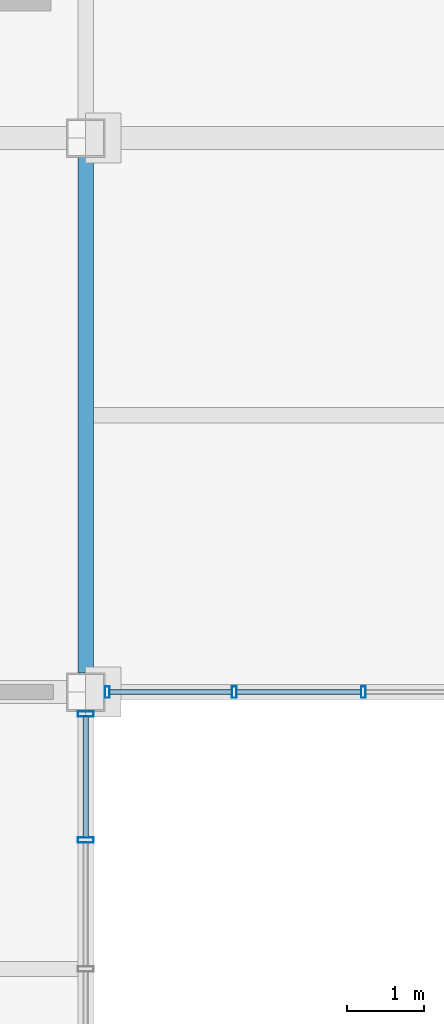
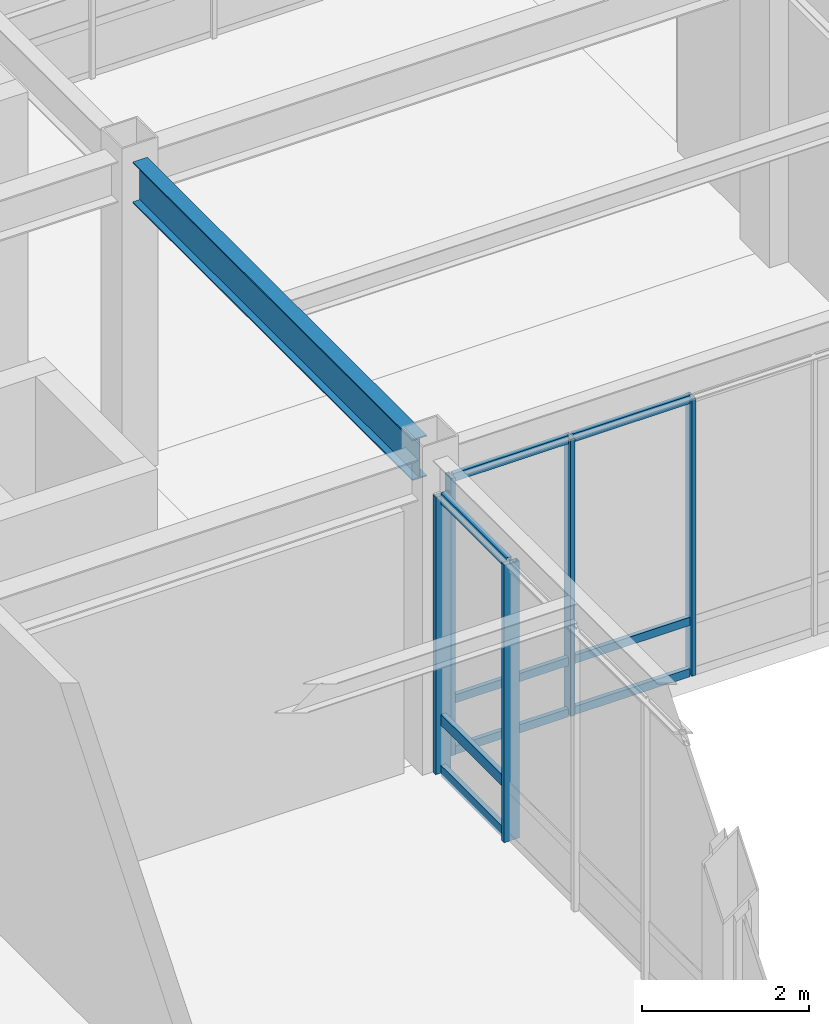
# One storey, part 62 of 112: 14 members, 1 beam, 2 elements without a shape of their own.
"""IFC4 building model written with IfcOpenShell, lengths in metres."""

from ifc_helpers import new_model, si_unit, direction, frame, origin, origin_2d, place, context, subcontext, project, spatial, hollow_rectangle, i_section, extrude, material, material_profile, profile_set, type_object, element, aggregate, save


model = new_model("IFC4")

# Units and contexts
model_context = context("Model", 3, precision=1e-05, world=origin(), true_north=direction((0.0, 1.0)))
body_context = subcontext(model_context, "Body", "Model", "MODEL_VIEW")
ifc_project = project(units=[si_unit("LENGTHUNIT", "METRE"), si_unit("AREAUNIT", "SQUARE_METRE"), si_unit("VOLUMEUNIT", "CUBIC_METRE"), si_unit("PLANEANGLEUNIT", "RADIAN"), si_unit("MASSUNIT", "GRAM", prefix="KILO")], contexts=[model_context])

# Site, building, storey
site_placement = place(None, origin())
site = spatial("IfcSite", under=ifc_project, at=site_placement, CompositionType="ELEMENT")
building_placement = place(site_placement, origin())
building = spatial("IfcBuilding", under=site, at=building_placement, Name="Kazanami Central Library", CompositionType="ELEMENT")
storey_placement = place(building_placement, origin())
storey = spatial("IfcBuildingStorey", under=building, at=storey_placement, Name="L01", CompositionType="ELEMENT", Elevation=0.0)

# Beam
ifc_material_1 = material(Name="Steel SN490B (325 MPa)", Category="steel")
ifc_material_profile_1 = material_profile(ifc_material_1, i_section(OverallWidth=0.199951171875, OverallDepth=0.60009765625, WebThickness=0.010986328125, FlangeThickness=0.01708984375, at=origin_2d()), Name="H-600x200x11x17")
ifc_profile_set_1 = profile_set([ifc_material_profile_1], Name="Steel SN490B (325 MPa)")
beam_type = type_object("IfcBeamType", Name="BM-G-Y1", PredefinedType="BEAM", material=ifc_profile_set_1)
beam_placement = place(storey_placement, frame((108.0, 65.048095703125, 4.2548828125), z_axis=(0.0, 1.0, 0.0), x_axis=(-1.0, 0.0, 0.0)))
element("IfcBeam", 1, at=beam_placement, inside=storey, type_object=beam_type, Name="Girder G-Y1 L01 13/K-L", PredefinedType="BEAM", context=body_context, shape_type="SweptSolid", body=[
    extrude(i_section(OverallWidth=0.199951171875, OverallDepth=0.60009765625, WebThickness=0.010986328125, FlangeThickness=0.01708984375, at=origin_2d()), origin(), (0.0, 0.0, 1.0), 6.703857421875),
])

# Curtain wall, members
ifc_material_2 = material(Name="Acid-Etched Low-E Laminated Glass", Category="glass")
curtain_wall_type_1 = type_object("IfcCurtainWallType", Name="CW-6700x4055-M180", PredefinedType="USERDEFINED", material=ifc_material_2)
curtain_wall_1_placement = place(storey_placement, origin())
curtain_wall_1 = element("IfcCurtainWall", 2, at=curtain_wall_1_placement, inside=storey, type_object=curtain_wall_type_1, Name="Covered Link Bridge Curtain Wall CW-09 L01 E-13-08", ObjectType="UNITISED CURTAIN WALL", PredefinedType="USERDEFINED")
ifc_material_3 = material(Name="Anodised Aluminium A6063-T5", Category="aluminium")
ifc_material_profile_2 = material_profile(ifc_material_3, hollow_rectangle(XDim=0.070068359375, YDim=0.2099609375, WallThickness=0.0048828125, at=origin_2d()), Name="ALU-MULL-70x210x5")
ifc_profile_set_2 = profile_set([ifc_material_profile_2], Name="Anodised Aluminium A6063-T5")
member_type_1 = type_object("IfcMemberType", Name="MEM-CW-M1", PredefinedType="MULLION", material=ifc_profile_set_2)
member_1_placement = place(storey_placement, frame((108.0, 64.514892578125, 0.0), z_axis=(0.0, 0.0, 1.0), x_axis=(0.0, -1.0, 0.0)))
member_1 = element("IfcMember", 3, at=member_1_placement, type_object=member_type_1, Name="CW-09 mullion 1", PredefinedType="MULLION", context=body_context, shape_type="SweptSolid", body=[
    extrude(hollow_rectangle(XDim=0.070068359375, YDim=0.2099609375, WallThickness=0.0048828125, at=origin_2d()), origin(), (0.0, 0.0, 1.0), 4.054931640625),
])
member_2_placement = place(storey_placement, frame((108.0, 62.875, 0.0), z_axis=(0.0, 0.0, 1.0), x_axis=(0.0, -1.0, 0.0)))
member_2 = element("IfcMember", 4, at=member_2_placement, type_object=member_type_1, Name="CW-09 mullion 2", PredefinedType="MULLION", context=body_context, shape_type="SweptSolid", body=[
    extrude(hollow_rectangle(XDim=0.070068359375, YDim=0.2099609375, WallThickness=0.0048828125, at=origin_2d()), origin(), (0.0, 0.0, 1.0), 4.054931640625),
])

curtain_wall_type_2 = type_object("IfcCurtainWallType", Name="CW-8400x4055-M180", PredefinedType="USERDEFINED", material=ifc_material_2)
curtain_wall_2_placement = place(storey_placement, origin())
curtain_wall_2 = element("IfcCurtainWall", 5, at=curtain_wall_2_placement, inside=storey, type_object=curtain_wall_type_2, Name="Covered Link Bridge Curtain Wall CW-06 L01 S-K-12", ObjectType="UNITISED CURTAIN WALL", PredefinedType="USERDEFINED")
ifc_material_profile_3 = material_profile(ifc_material_3, hollow_rectangle(XDim=0.06005859375, YDim=0.14990234375, WallThickness=0.00390625, at=origin_2d()), Name="ALU-MULL-60x150x4")
ifc_profile_set_3 = profile_set([ifc_material_profile_3], Name="Anodised Aluminium A6063-T5")
member_type_2 = type_object("IfcMemberType", Name="MEM-CW-M3", PredefinedType="MULLION", material=ifc_profile_set_3)
member_3_placement = place(storey_placement, frame((108.280029296875, 64.800048828125, 0.0), z_axis=(0.0, 0.0, 1.0), x_axis=(1.0, 0.0, 0.0)))
member_3 = element("IfcMember", 6, at=member_3_placement, type_object=member_type_2, Name="CW-06 mullion 1", PredefinedType="MULLION", context=body_context, shape_type="SweptSolid", body=[
    extrude(hollow_rectangle(XDim=0.06005859375, YDim=0.14990234375, WallThickness=0.00390625, at=origin_2d()), origin(), (0.0, 0.0, 1.0), 4.054931640625),
])
member_4_placement = place(storey_placement, frame((109.929931640625, 64.800048828125, 0.0), z_axis=(0.0, 0.0, 1.0), x_axis=(1.0, 0.0, 0.0)))
member_4 = element("IfcMember", 7, at=member_4_placement, type_object=member_type_2, Name="CW-06 mullion 2", PredefinedType="MULLION", context=body_context, shape_type="SweptSolid", body=[
    extrude(hollow_rectangle(XDim=0.06005859375, YDim=0.14990234375, WallThickness=0.00390625, at=origin_2d()), origin(), (0.0, 0.0, 1.0), 4.054931640625),
])
member_5_placement = place(storey_placement, frame((111.610107421875, 64.800048828125, 0.0), z_axis=(0.0, 0.0, 1.0), x_axis=(1.0, 0.0, 0.0)))
member_5 = element("IfcMember", 8, at=member_5_placement, type_object=member_type_2, Name="CW-06 mullion 3", PredefinedType="MULLION", context=body_context, shape_type="SweptSolid", body=[
    extrude(hollow_rectangle(XDim=0.06005859375, YDim=0.14990234375, WallThickness=0.00390625, at=origin_2d()), origin(), (0.0, 0.0, 1.0), 4.054931640625),
])

# Member
ifc_material_profile_4 = material_profile(ifc_material_3, hollow_rectangle(XDim=0.070068359375, YDim=0.159912109375, WallThickness=0.00390625, at=origin_2d()), Name="ALU-TRAN-70x160x4")
ifc_profile_set_4 = profile_set([ifc_material_profile_4], Name="Anodised Aluminium A6063-T5")
member_type_3 = type_object("IfcMemberType", Name="MEM-CW-T1", PredefinedType="USERDEFINED", material=ifc_profile_set_4)
member_6_placement = place(storey_placement, frame((108.0, 64.47998046875, 0.034912109375), z_axis=(0.0, -1.0, 0.0), x_axis=(1.0, 0.0, 0.0)))
member_6 = element("IfcMember", 9, at=member_6_placement, type_object=member_type_3, Name="CW-09 transom 1.1", ObjectType="TRANSOM", PredefinedType="USERDEFINED", context=body_context, shape_type="SweptSolid", body=[
    extrude(hollow_rectangle(XDim=0.070068359375, YDim=0.159912109375, WallThickness=0.00390625, at=origin_2d()), origin(), (0.0, 0.0, 1.0), 1.570068359375),
])

member_7_placement = place(storey_placement, frame((108.0, 64.47998046875, 0.780029296875), z_axis=(0.0, -1.0, 0.0), x_axis=(1.0, 0.0, 0.0)))
member_7 = element("IfcMember", 10, at=member_7_placement, type_object=member_type_3, Name="CW-09 transom 1.2", ObjectType="TRANSOM", PredefinedType="USERDEFINED", context=body_context, shape_type="SweptSolid", body=[
    extrude(hollow_rectangle(XDim=0.070068359375, YDim=0.159912109375, WallThickness=0.00390625, at=origin_2d()), origin(), (0.0, 0.0, 1.0), 1.570068359375),
])

member_8_placement = place(storey_placement, frame((108.0, 64.47998046875, 4.02001953125), z_axis=(0.0, -1.0, 0.0), x_axis=(1.0, 0.0, 0.0)))
member_8 = element("IfcMember", 11, at=member_8_placement, type_object=member_type_3, Name="CW-09 transom 1.3", ObjectType="TRANSOM", PredefinedType="USERDEFINED", context=body_context, shape_type="SweptSolid", body=[
    extrude(hollow_rectangle(XDim=0.070068359375, YDim=0.159912109375, WallThickness=0.00390625, at=origin_2d()), origin(), (0.0, 0.0, 1.0), 1.570068359375),
])

aggregate(curtain_wall_1, [member_1, member_2, member_6, member_7, member_8])

ifc_material_profile_5 = material_profile(ifc_material_3, hollow_rectangle(XDim=0.06005859375, YDim=0.1201171875, WallThickness=0.00341796875, at=origin_2d()), Name="ALU-TRAN-60x120x3.5")
ifc_profile_set_5 = profile_set([ifc_material_profile_5], Name="Anodised Aluminium A6063-T5")
member_type_4 = type_object("IfcMemberType", Name="MEM-CW-T3", PredefinedType="USERDEFINED", material=ifc_profile_set_5)
member_9_placement = place(storey_placement, frame((108.31005859375, 64.800048828125, 0.030029296875), z_axis=(1.0, 0.0, 0.0), x_axis=(0.0, 1.0, 0.0)))
member_9 = element("IfcMember", 12, at=member_9_placement, type_object=member_type_4, Name="CW-06 transom 1.1", ObjectType="TRANSOM", PredefinedType="USERDEFINED", context=body_context, shape_type="SweptSolid", body=[
    extrude(hollow_rectangle(XDim=0.06005859375, YDim=0.1201171875, WallThickness=0.00341796875, at=origin_2d()), origin(), (0.0, 0.0, 1.0), 1.58984375),
])

member_10_placement = place(storey_placement, frame((108.31005859375, 64.800048828125, 0.780029296875), z_axis=(1.0, 0.0, 0.0), x_axis=(0.0, 1.0, 0.0)))
member_10 = element("IfcMember", 13, at=member_10_placement, type_object=member_type_4, Name="CW-06 transom 1.2", ObjectType="TRANSOM", PredefinedType="USERDEFINED", context=body_context, shape_type="SweptSolid", body=[
    extrude(hollow_rectangle(XDim=0.06005859375, YDim=0.1201171875, WallThickness=0.00341796875, at=origin_2d()), origin(), (0.0, 0.0, 1.0), 1.58984375),
])

member_11_placement = place(storey_placement, frame((108.31005859375, 64.800048828125, 4.02490234375), z_axis=(1.0, 0.0, 0.0), x_axis=(0.0, 1.0, 0.0)))
member_11 = element("IfcMember", 14, at=member_11_placement, type_object=member_type_4, Name="CW-06 transom 1.3", ObjectType="TRANSOM", PredefinedType="USERDEFINED", context=body_context, shape_type="SweptSolid", body=[
    extrude(hollow_rectangle(XDim=0.06005859375, YDim=0.1201171875, WallThickness=0.00341796875, at=origin_2d()), origin(), (0.0, 0.0, 1.0), 1.58984375),
])

member_12_placement = place(storey_placement, frame((109.9599609375, 64.800048828125, 0.030029296875), z_axis=(1.0, 0.0, 0.0), x_axis=(0.0, 1.0, 0.0)))
member_12 = element("IfcMember", 15, at=member_12_placement, type_object=member_type_4, Name="CW-06 transom 2.1", ObjectType="TRANSOM", PredefinedType="USERDEFINED", context=body_context, shape_type="SweptSolid", body=[
    extrude(hollow_rectangle(XDim=0.06005859375, YDim=0.1201171875, WallThickness=0.00341796875, at=origin_2d()), origin(), (0.0, 0.0, 1.0), 1.6201171875),
])

member_13_placement = place(storey_placement, frame((109.9599609375, 64.800048828125, 0.780029296875), z_axis=(1.0, 0.0, 0.0), x_axis=(0.0, 1.0, 0.0)))
member_13 = element("IfcMember", 16, at=member_13_placement, type_object=member_type_4, Name="CW-06 transom 2.2", ObjectType="TRANSOM", PredefinedType="USERDEFINED", context=body_context, shape_type="SweptSolid", body=[
    extrude(hollow_rectangle(XDim=0.06005859375, YDim=0.1201171875, WallThickness=0.00341796875, at=origin_2d()), origin(), (0.0, 0.0, 1.0), 1.6201171875),
])

member_14_placement = place(storey_placement, frame((109.9599609375, 64.800048828125, 4.02490234375), z_axis=(1.0, 0.0, 0.0), x_axis=(0.0, 1.0, 0.0)))
member_14 = element("IfcMember", 17, at=member_14_placement, type_object=member_type_4, Name="CW-06 transom 2.3", ObjectType="TRANSOM", PredefinedType="USERDEFINED", context=body_context, shape_type="SweptSolid", body=[
    extrude(hollow_rectangle(XDim=0.06005859375, YDim=0.1201171875, WallThickness=0.00341796875, at=origin_2d()), origin(), (0.0, 0.0, 1.0), 1.6201171875),
])

aggregate(curtain_wall_2, [member_3, member_4, member_5, member_9, member_10, member_11, member_12, member_13, member_14])

save(model, "model.ifc")
